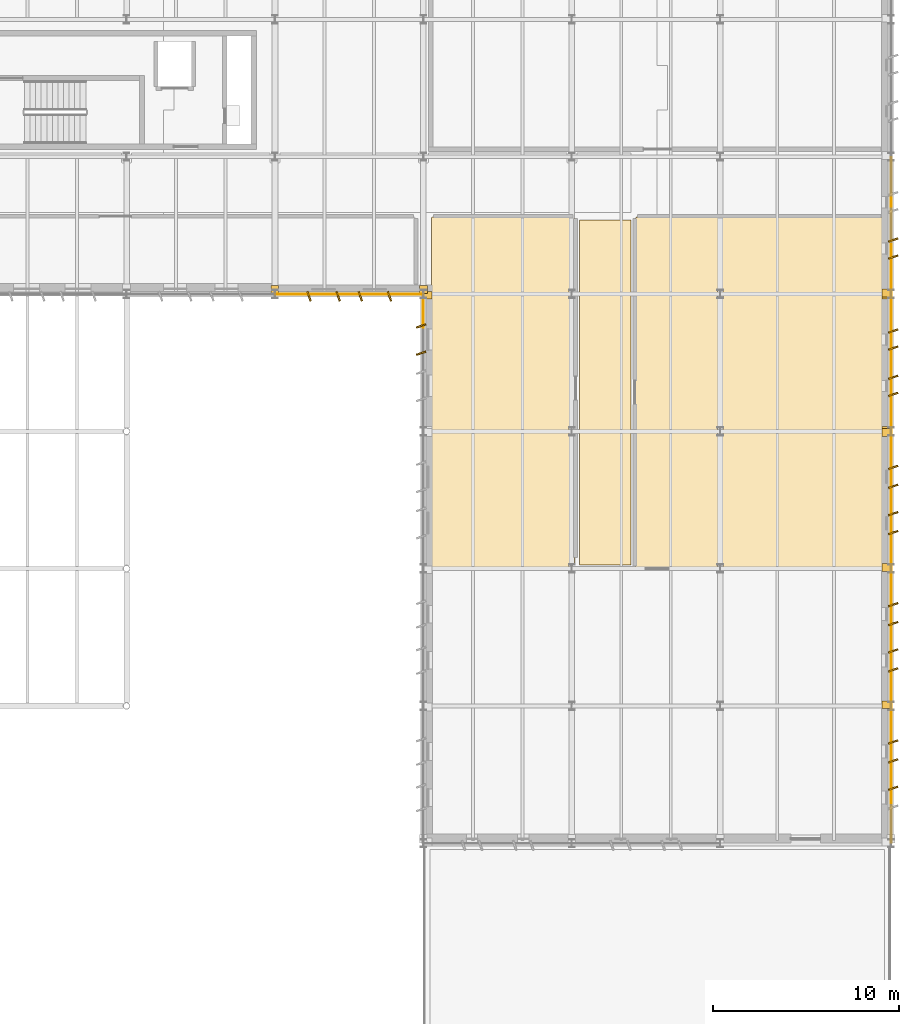
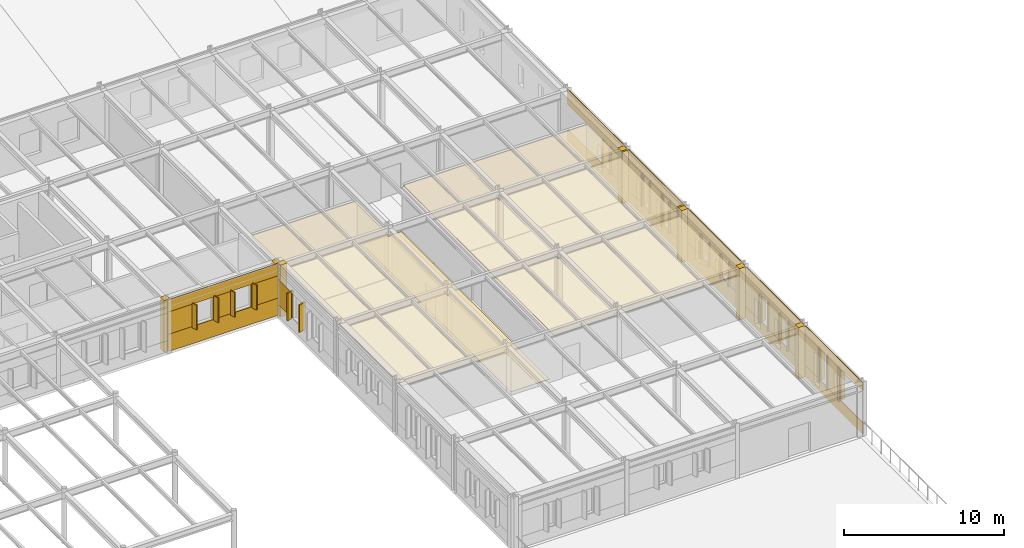
# One storey, part 62 of 63: 63 coverings.
"""IFC4 building model written with IfcOpenShell, lengths in metres."""

from ifc_helpers import new_model, si_unit, direction, frame, frame_2d, origin, origin_2d, place, context, subcontext, project, spatial, polyline, rectangle, outline, extrude, material, layer, layer_set, type_object, element, save


model = new_model("IFC4")

# Units and contexts
model_context = context("Model", 3, precision=1e-05, world=origin(), true_north=direction((0.0, 1.0)))
body_context = subcontext(model_context, "Body", "Model", "MODEL_VIEW")
ifc_project = project(units=[si_unit("LENGTHUNIT", "METRE"), si_unit("AREAUNIT", "SQUARE_METRE"), si_unit("VOLUMEUNIT", "CUBIC_METRE"), si_unit("PLANEANGLEUNIT", "RADIAN"), si_unit("MASSUNIT", "GRAM", prefix="KILO")], contexts=[model_context])

# Site, building, storey
site_placement = place(None, origin())
site = spatial("IfcSite", under=ifc_project, at=site_placement, CompositionType="ELEMENT")
building_placement = place(site_placement, origin())
building = spatial("IfcBuilding", under=site, at=building_placement, Name="Valkorina Park Police Headquarters", CompositionType="ELEMENT")
storey_placement = place(building_placement, frame((0.0, 0.0, 9.89990234375)))
storey = spatial("IfcBuildingStorey", under=building, at=storey_placement, Name="L03", CompositionType="ELEMENT", Elevation=9.89990234375)

# Coverings
ifc_material_1 = material(Name="Acoustic mineral board")
ifc_layer_1 = layer(ifc_material_1, 0.02490234375)
ifc_layer_set_1 = layer_set([ifc_layer_1], Name="Acoustic mineral board")
covering_type_1 = type_object("IfcCoveringType", Name="COV-CEILING-ACOUST", PredefinedType="CEILING", material=ifc_layer_set_1)
covering_1_placement = place(storey_placement, frame((0.0, 0.0, 3.34521484375)))
element("IfcCovering", 1, at=covering_1_placement, inside=storey, type_object=covering_type_1, Name="QAS DNA Gowning and Reagent Prep Suite Acoustic Suspended Ceiling", PredefinedType="CEILING", context=body_context, shape_type="SweptSolid", body=[
    extrude(outline(polyline([(144.95849609375, 59.449462890625), (144.959716796875, 59.457275390625), (144.9599609375, 59.465087890625), (144.9599609375, 63.280029296875), (144.959716796875, 63.287841796875), (144.95849609375, 63.295654296875), (144.95654296875, 63.30322265625), (144.953857421875, 63.310546875), (144.95068359375, 63.317626953125), (144.946533203125, 63.324462890625), (144.94189453125, 63.330810546875), (144.9365234375, 63.336669921875), (144.930908203125, 63.341796875), (144.92431640625, 63.346435546875), (144.917724609375, 63.3505859375), (144.91064453125, 63.35400390625), (144.9033203125, 63.356689453125), (144.8955078125, 63.3583984375), (144.8876953125, 63.359619140625), (144.8798828125, 63.360107421875), (137.320068359375, 63.360107421875), (137.312255859375, 63.359619140625), (137.304443359375, 63.3583984375), (137.296875, 63.356689453125), (137.289306640625, 63.35400390625), (137.2822265625, 63.3505859375), (137.275634765625, 63.346435546875), (137.269287109375, 63.341796875), (137.263427734375, 63.336669921875), (137.25830078125, 63.330810546875), (137.25341796875, 63.324462890625), (137.24951171875, 63.317626953125), (137.24609375, 63.310546875), (137.243408203125, 63.30322265625), (137.241455078125, 63.295654296875), (137.240478515625, 63.287841796875), (137.239990234375, 63.280029296875), (137.239990234375, 44.52001953125), (137.240478515625, 44.51220703125), (137.241455078125, 44.50439453125), (137.243408203125, 44.496826171875), (137.24609375, 44.489501953125), (137.24951171875, 44.482421875), (137.25341796875, 44.4755859375), (137.25830078125, 44.46923828125), (137.263427734375, 44.46337890625), (137.269287109375, 44.458251953125), (137.275634765625, 44.45361328125), (137.2822265625, 44.449462890625), (137.289306640625, 44.446044921875), (137.296875, 44.443359375), (137.304443359375, 44.44140625), (137.312255859375, 44.4404296875), (137.320068359375, 44.43994140625), (144.610107421875, 44.43994140625), (144.617919921875, 44.4404296875), (144.62548828125, 44.44140625), (144.63330078125, 44.443359375), (144.640625, 44.446044921875), (144.647705078125, 44.449462890625), (144.64990234375, 44.45068359375), (144.64990234375, 44.625), (144.94921875, 44.625), (144.95068359375, 44.627197265625), (144.953857421875, 44.634521484375), (144.95654296875, 44.641845703125), (144.95849609375, 44.6494140625), (144.959716796875, 44.6572265625), (144.9599609375, 44.6650390625), (144.9599609375, 51.534912109375), (144.959716796875, 51.542724609375), (144.95849609375, 51.550537109375), (144.95654296875, 51.55810546875), (144.953857421875, 51.565673828125), (144.95068359375, 51.57275390625), (144.94921875, 51.574951171875), (144.64990234375, 51.574951171875), (144.64990234375, 52.02490234375), (144.94921875, 52.02490234375), (144.95068359375, 52.02734375), (144.953857421875, 52.034423828125), (144.95654296875, 52.041748046875), (144.95849609375, 52.04931640625), (144.959716796875, 52.05712890625), (144.9599609375, 52.06494140625), (144.9599609375, 58.93505859375), (144.959716796875, 58.94287109375), (144.95849609375, 58.95068359375), (144.95654296875, 58.958251953125), (144.953857421875, 58.965576171875), (144.95068359375, 58.97265625), (144.94921875, 58.97509765625), (144.64990234375, 58.97509765625), (144.64990234375, 59.425048828125), (144.94921875, 59.425048828125), (144.95068359375, 59.42724609375), (144.953857421875, 59.434326171875), (144.95654296875, 59.44189453125), (144.95849609375, 59.449462890625)])), origin(), (0.0, 0.0, 1.0), 0.02490234375),
])
covering_2_placement = place(storey_placement, frame((0.0, 0.0, 3.34521484375)))
element("IfcCovering", 2, at=covering_2_placement, inside=storey, type_object=covering_type_1, Name="QAS Post-PCR Amplification Clean Lab Acoustic Suspended Ceiling", PredefinedType="CEILING", context=body_context, shape_type="SweptSolid", body=[
    extrude(outline(polyline([(161.55859375, 44.50439453125), (161.5595703125, 44.51220703125), (161.56005859375, 44.52001953125), (161.56005859375, 63.280029296875), (161.5595703125, 63.287841796875), (161.55859375, 63.295654296875), (161.556640625, 63.30322265625), (161.553955078125, 63.310546875), (161.550537109375, 63.317626953125), (161.54638671875, 63.324462890625), (161.541748046875, 63.330810546875), (161.53662109375, 63.336669921875), (161.53076171875, 63.341796875), (161.5244140625, 63.346435546875), (161.517578125, 63.3505859375), (161.510498046875, 63.35400390625), (161.503173828125, 63.356689453125), (161.49560546875, 63.3583984375), (161.48779296875, 63.359619140625), (161.47998046875, 63.360107421875), (148.320068359375, 63.360107421875), (148.312255859375, 63.359619140625), (148.304443359375, 63.3583984375), (148.296875, 63.356689453125), (148.289306640625, 63.35400390625), (148.2822265625, 63.3505859375), (148.275634765625, 63.346435546875), (148.269287109375, 63.341796875), (148.263427734375, 63.336669921875), (148.25830078125, 63.330810546875), (148.25341796875, 63.324462890625), (148.24951171875, 63.317626953125), (148.24609375, 63.310546875), (148.243408203125, 63.30322265625), (148.241455078125, 63.295654296875), (148.240478515625, 63.287841796875), (148.239990234375, 63.280029296875), (148.239990234375, 44.52001953125), (148.240478515625, 44.51220703125), (148.241455078125, 44.50439453125), (148.243408203125, 44.496826171875), (148.24609375, 44.489501953125), (148.24951171875, 44.482421875), (148.25341796875, 44.4755859375), (148.25830078125, 44.46923828125), (148.263427734375, 44.46337890625), (148.269287109375, 44.458251953125), (148.275634765625, 44.45361328125), (148.2822265625, 44.449462890625), (148.289306640625, 44.446044921875), (148.296875, 44.443359375), (148.304443359375, 44.44140625), (148.312255859375, 44.4404296875), (148.320068359375, 44.43994140625), (152.610107421875, 44.43994140625), (152.617919921875, 44.4404296875), (152.62548828125, 44.44140625), (152.63330078125, 44.443359375), (152.640625, 44.446044921875), (152.647705078125, 44.449462890625), (152.64990234375, 44.45068359375), (152.64990234375, 44.625), (152.949951171875, 44.625), (152.949951171875, 44.45068359375), (152.952392578125, 44.449462890625), (152.95947265625, 44.446044921875), (152.966796875, 44.443359375), (152.974365234375, 44.44140625), (152.982177734375, 44.4404296875), (152.989990234375, 44.43994140625), (161.47998046875, 44.43994140625), (161.48779296875, 44.4404296875), (161.49560546875, 44.44140625), (161.503173828125, 44.443359375), (161.510498046875, 44.446044921875), (161.517578125, 44.449462890625), (161.5244140625, 44.45361328125), (161.53076171875, 44.458251953125), (161.53662109375, 44.46337890625), (161.541748046875, 44.46923828125), (161.54638671875, 44.4755859375), (161.550537109375, 44.482421875), (161.553955078125, 44.489501953125), (161.556640625, 44.496826171875), (161.55859375, 44.50439453125)]), holes=[polyline([(152.949951171875, 52.02490234375), (152.949951171875, 51.574951171875), (152.64990234375, 51.574951171875), (152.64990234375, 52.02490234375), (152.949951171875, 52.02490234375)]), polyline([(152.949951171875, 59.425048828125), (152.949951171875, 58.97509765625), (152.64990234375, 58.97509765625), (152.64990234375, 59.425048828125), (152.949951171875, 59.425048828125)])]), origin(), (0.0, 0.0, 1.0), 0.02490234375),
])
ifc_material_2 = material(Name="Precast concrete C40/50", Category="concrete")
ifc_layer_2 = layer(ifc_material_2, 0.044921875)
ifc_layer_set_2 = layer_set([ifc_layer_2], Name="Precast concrete C40/50")
covering_type_2 = type_object("IfcCoveringType", Name="COV-CLAD-DOLOMITE", PredefinedType="CLADDING", material=ifc_layer_set_2)
covering_3_placement = place(storey_placement, frame((161.75, 59.264892578125, 0.0), z_axis=(0.0, 0.0, 1.0), x_axis=(0.0, 1.0, 0.0)))
element("IfcCovering", 3, at=covering_3_placement, inside=storey, type_object=covering_type_2, Name="L03 Exterior Joint Closure Pilaster B 1927", PredefinedType="CLADDING", context=body_context, shape_type="SweptSolid", body=[
    extrude(rectangle(XDim=0.419921875, YDim=0.449951171875, at=origin_2d()), origin(), (0.0, 0.0, 1.0), 3.955078125),
])
for number, where, z_axis, x_axis, name in (
    (4, (162.1201171875, 62.112548828125, 0.7802734375), (0.0, 0.0, 1.0), (0.948323655206, 0.317304656405, 0.0), "Slanted 18.5-deg Precast Window Slot Fin 1930"),
    (5, (162.1201171875, 61.192626953125, 0.7802734375), (0.0, 0.0, 1.0), (0.948323655206, 0.317304656405, 0.0), "Slanted 18.5-deg Precast Window Slot Fin 1931"),
):
    element("IfcCovering", number, at=place(storey_placement, frame(where, z_axis=z_axis, x_axis=x_axis)), inside=storey, type_object=covering_type_2, Name=name, PredefinedType="CLADDING", context=body_context, shape_type="SweptSolid", body=[
        extrude(rectangle(XDim=0.5400390625, YDim=0.090087890625, at=origin_2d()), origin(), (0.0, 0.0, 1.0), 2.090087890625),
    ])
covering_4_placement = place(storey_placement, frame((162.014892578125, 66.580078125, 0.0), z_axis=(0.0, 0.0, 1.0), x_axis=(0.0, -1.0, 0.0)))
element("IfcCovering", 6, at=covering_4_placement, inside=storey, type_object=covering_type_2, Name="L03 Calm Concrete Base Sill Spandrel 1932", PredefinedType="CLADDING", context=body_context, shape_type="SweptSolid", body=[
    extrude(rectangle(XDim=7.360107421875, YDim=0.044921875, at=frame_2d((3.68017578125, 0.0))), origin(), (0.0, 0.0, 1.0), 0.8701171875),
])
covering_5_placement = place(storey_placement, frame((162.014892578125, 66.580078125, 2.780029296875), z_axis=(0.0, 0.0, 1.0), x_axis=(0.0, -1.0, 0.0)))
element("IfcCovering", 7, at=covering_5_placement, inside=storey, type_object=covering_type_2, Name="L03 Calm Concrete Base Lintel Spandrel 1933", PredefinedType="CLADDING", context=body_context, shape_type="SweptSolid", body=[
    extrude(rectangle(XDim=7.360107421875, YDim=0.044921875, at=frame_2d((3.68017578125, 0.0))), origin(), (0.0, 0.0, 1.0), 1.175048828125),
])
covering_6_placement = place(storey_placement, frame((162.014892578125, 61.302490234375, 0.8701171875), z_axis=(0.0, 0.0, 1.0), x_axis=(0.0, -1.0, 0.0)))
element("IfcCovering", 8, at=covering_6_placement, inside=storey, type_object=covering_type_2, Name="L03 Calm Concrete Base Slot Pier 1936", PredefinedType="CLADDING", context=body_context, shape_type="SweptSolid", body=[
    extrude(rectangle(XDim=2.08251953125, YDim=0.044921875, at=frame_2d((1.041259765625, 0.0))), origin(), (0.0, 0.0, 1.0), 1.909912109375),
])
for number, where, z_axis, x_axis, name in (
    (9, (161.75, 59.135009765625, 0.0), (0.0, 0.0, 1.0), (0.0, 1.0, 0.0), "L03 Exterior Joint Closure Pilaster A 1937"),
    (10, (161.75, 51.864990234375, 0.0), (0.0, 0.0, 1.0), (0.0, 1.0, 0.0), "L03 Exterior Joint Closure Pilaster B 1938"),
):
    element("IfcCovering", number, at=place(storey_placement, frame(where, z_axis=z_axis, x_axis=x_axis)), inside=storey, type_object=covering_type_2, Name=name, PredefinedType="CLADDING", context=body_context, shape_type="SweptSolid", body=[
        extrude(rectangle(XDim=0.419921875, YDim=0.449951171875, at=origin_2d()), origin(), (0.0, 0.0, 1.0), 3.955078125),
    ])
for number, where, z_axis, x_axis, name in (
    (11, (162.1201171875, 57.20751953125, 0.780029296875), (0.0, 0.0, 1.0), (0.948323655206, 0.317304656405, 0.0), "Slanted 18.5-deg Precast Window Slot Fin 1939"),
    (12, (162.1201171875, 56.287353515625, 0.780029296875), (0.0, 0.0, 1.0), (0.948323655206, 0.317304656405, 0.0), "Slanted 18.5-deg Precast Window Slot Fin 1940"),
    (13, (162.1201171875, 54.712646484375, 0.780029296875), (0.0, 0.0, 1.0), (0.948323655206, 0.317304656405, 0.0), "Slanted 18.5-deg Precast Window Slot Fin 1941"),
    (14, (162.1201171875, 53.79248046875, 0.780029296875), (0.0, 0.0, 1.0), (0.948323655206, 0.317304656405, 0.0), "Slanted 18.5-deg Precast Window Slot Fin 1942"),
):
    element("IfcCovering", number, at=place(storey_placement, frame(where, z_axis=z_axis, x_axis=x_axis)), inside=storey, type_object=covering_type_2, Name=name, PredefinedType="CLADDING", context=body_context, shape_type="SweptSolid", body=[
        extrude(rectangle(XDim=0.5400390625, YDim=0.090087890625, at=origin_2d()), origin(), (0.0, 0.0, 1.0), 2.43994140625),
    ])
covering_7_placement = place(storey_placement, frame((162.014892578125, 59.179931640625, 0.0), z_axis=(0.0, 0.0, 1.0), x_axis=(0.0, -1.0, 0.0)))
element("IfcCovering", 15, at=covering_7_placement, inside=storey, type_object=covering_type_2, Name="L03 Calm Concrete Base Sill Spandrel 1943", PredefinedType="CLADDING", context=body_context, shape_type="SweptSolid", body=[
    extrude(rectangle(XDim=7.35986328125, YDim=0.044921875, at=frame_2d((3.679931640625, 0.0))), origin(), (0.0, 0.0, 1.0), 0.8701171875),
])
covering_8_placement = place(storey_placement, frame((162.014892578125, 59.179931640625, 3.130126953125), z_axis=(0.0, 0.0, 1.0), x_axis=(0.0, -1.0, 0.0)))
element("IfcCovering", 16, at=covering_8_placement, inside=storey, type_object=covering_type_2, Name="L03 Calm Concrete Base Lintel Spandrel 1944", PredefinedType="CLADDING", context=body_context, shape_type="SweptSolid", body=[
    extrude(rectangle(XDim=7.35986328125, YDim=0.044921875, at=frame_2d((3.679931640625, 0.0))), origin(), (0.0, 0.0, 1.0), 0.824951171875),
])
covering_9_placement = place(storey_placement, frame((162.014892578125, 59.179931640625, 0.8701171875), z_axis=(0.0, 0.0, 1.0), x_axis=(0.0, -1.0, 0.0)))
element("IfcCovering", 17, at=covering_9_placement, inside=storey, type_object=covering_type_2, Name="L03 Calm Concrete Base Slot Pier 1945", PredefinedType="CLADDING", context=body_context, shape_type="SweptSolid", body=[
    extrude(rectangle(XDim=2.08251953125, YDim=0.044921875, at=frame_2d((1.041259765625, 0.0))), origin(), (0.0, 0.0, 1.0), 2.260009765625),
])
covering_10_placement = place(storey_placement, frame((162.014892578125, 56.3974609375, 0.8701171875), z_axis=(0.0, 0.0, 1.0), x_axis=(0.0, -1.0, 0.0)))
element("IfcCovering", 18, at=covering_10_placement, inside=storey, type_object=covering_type_2, Name="L03 Calm Concrete Base Slot Pier 1946", PredefinedType="CLADDING", context=body_context, shape_type="SweptSolid", body=[
    extrude(rectangle(XDim=1.794921875, YDim=0.044921875, at=frame_2d((0.8974609375, 0.0))), origin(), (0.0, 0.0, 1.0), 2.260009765625),
])
covering_11_placement = place(storey_placement, frame((162.014892578125, 53.902587890625, 0.8701171875), z_axis=(0.0, 0.0, 1.0), x_axis=(0.0, -1.0, 0.0)))
element("IfcCovering", 19, at=covering_11_placement, inside=storey, type_object=covering_type_2, Name="L03 Calm Concrete Base Slot Pier 1947", PredefinedType="CLADDING", context=body_context, shape_type="SweptSolid", body=[
    extrude(rectangle(XDim=2.08251953125, YDim=0.044921875, at=frame_2d((1.041259765625, 0.0))), origin(), (0.0, 0.0, 1.0), 2.260009765625),
])
for number, where, z_axis, x_axis, name in (
    (20, (161.75, 51.735107421875, 0.0), (0.0, 0.0, 1.0), (0.0, 1.0, 0.0), "L03 Exterior Joint Closure Pilaster A 1948"),
    (21, (161.75, 44.465087890625, 0.0), (0.0, 0.0, 1.0), (0.0, 1.0, 0.0), "L03 Exterior Joint Closure Pilaster B 1949"),
):
    element("IfcCovering", number, at=place(storey_placement, frame(where, z_axis=z_axis, x_axis=x_axis)), inside=storey, type_object=covering_type_2, Name=name, PredefinedType="CLADDING", context=body_context, shape_type="SweptSolid", body=[
        extrude(rectangle(XDim=0.419921875, YDim=0.449951171875, at=origin_2d()), origin(), (0.0, 0.0, 1.0), 3.955078125),
    ])
for number, where, z_axis, x_axis, name in (
    (22, (162.1201171875, 49.857421875, 1.22998046875), (0.0, 0.0, 1.0), (0.948323655206, 0.317304656405, 0.0), "Slanted 18.5-deg Precast Window Slot Fin 1950"),
    (23, (162.1201171875, 48.83740234375, 1.22998046875), (0.0, 0.0, 1.0), (0.948323655206, 0.317304656405, 0.0), "Slanted 18.5-deg Precast Window Slot Fin 1951"),
    (24, (162.1201171875, 47.362548828125, 1.22998046875), (0.0, 0.0, 1.0), (0.948323655206, 0.317304656405, 0.0), "Slanted 18.5-deg Precast Window Slot Fin 1952"),
    (25, (162.1201171875, 46.342529296875, 1.22998046875), (0.0, 0.0, 1.0), (0.948323655206, 0.317304656405, 0.0), "Slanted 18.5-deg Precast Window Slot Fin 1953"),
):
    element("IfcCovering", number, at=place(storey_placement, frame(where, z_axis=z_axis, x_axis=x_axis)), inside=storey, type_object=covering_type_2, Name=name, PredefinedType="CLADDING", context=body_context, shape_type="SweptSolid", body=[
        extrude(rectangle(XDim=0.5400390625, YDim=0.090087890625, at=origin_2d()), origin(), (0.0, 0.0, 1.0), 1.840087890625),
    ])
covering_12_placement = place(storey_placement, frame((162.014892578125, 51.780029296875, 0.0), z_axis=(0.0, 0.0, 1.0), x_axis=(0.0, -1.0, 0.0)))
element("IfcCovering", 26, at=covering_12_placement, inside=storey, type_object=covering_type_2, Name="L03 Calm Concrete Base Sill Spandrel 1954", PredefinedType="CLADDING", context=body_context, shape_type="SweptSolid", body=[
    extrude(rectangle(XDim=7.360107421875, YDim=0.044921875, at=frame_2d((3.68017578125, 0.0))), origin(), (0.0, 0.0, 1.0), 1.320068359375),
])
covering_13_placement = place(storey_placement, frame((162.014892578125, 51.780029296875, 2.97998046875), z_axis=(0.0, 0.0, 1.0), x_axis=(0.0, -1.0, 0.0)))
element("IfcCovering", 27, at=covering_13_placement, inside=storey, type_object=covering_type_2, Name="L03 Calm Concrete Base Lintel Spandrel 1955", PredefinedType="CLADDING", context=body_context, shape_type="SweptSolid", body=[
    extrude(rectangle(XDim=7.360107421875, YDim=0.044921875, at=frame_2d((3.68017578125, 0.0))), origin(), (0.0, 0.0, 1.0), 0.97509765625),
])
covering_14_placement = place(storey_placement, frame((162.014892578125, 51.780029296875, 1.320068359375), z_axis=(0.0, 0.0, 1.0), x_axis=(0.0, -1.0, 0.0)))
element("IfcCovering", 28, at=covering_14_placement, inside=storey, type_object=covering_type_2, Name="L03 Calm Concrete Base Slot Pier 1956", PredefinedType="CLADDING", context=body_context, shape_type="SweptSolid", body=[
    extrude(rectangle(XDim=2.03271484375, YDim=0.044921875, at=frame_2d((1.016357421875, 0.0))), origin(), (0.0, 0.0, 1.0), 1.659912109375),
])
covering_15_placement = place(storey_placement, frame((162.014892578125, 48.947509765625, 1.320068359375), z_axis=(0.0, 0.0, 1.0), x_axis=(0.0, -1.0, 0.0)))
element("IfcCovering", 29, at=covering_15_placement, inside=storey, type_object=covering_type_2, Name="L03 Calm Concrete Base Slot Pier 1957", PredefinedType="CLADDING", context=body_context, shape_type="SweptSolid", body=[
    extrude(rectangle(XDim=1.69482421875, YDim=0.044921875, at=frame_2d((0.847412109375, 0.0))), origin(), (0.0, 0.0, 1.0), 1.659912109375),
])
covering_16_placement = place(storey_placement, frame((162.014892578125, 46.45263671875, 1.320068359375), z_axis=(0.0, 0.0, 1.0), x_axis=(0.0, -1.0, 0.0)))
element("IfcCovering", 30, at=covering_16_placement, inside=storey, type_object=covering_type_2, Name="L03 Calm Concrete Base Slot Pier 1958", PredefinedType="CLADDING", context=body_context, shape_type="SweptSolid", body=[
    extrude(rectangle(XDim=2.03271484375, YDim=0.044921875, at=frame_2d((1.016357421875, 0.0))), origin(), (0.0, 0.0, 1.0), 1.659912109375),
])
covering_17_placement = place(storey_placement, frame((161.75, 37.06494140625, 0.000244140625), z_axis=(0.0, 0.0, 1.0), x_axis=(0.0, 1.0, 0.0)))
element("IfcCovering", 31, at=covering_17_placement, inside=storey, type_object=covering_type_2, Name="L03 Exterior Joint Closure Pilaster B 1959", PredefinedType="CLADDING", context=body_context, shape_type="SweptSolid", body=[
    extrude(rectangle(XDim=0.419921875, YDim=0.449951171875, at=origin_2d()), origin(), (0.0, 0.0, 1.0), 3.919921875),
])
for number, where, z_axis, x_axis, name in (
    (32, (162.1201171875, 42.45751953125, 0.7802734375), (0.0, 0.0, 1.0), (0.948323655206, 0.317304656405, 0.0), "Slanted 18.5-deg Precast Window Slot Fin 1960"),
    (33, (162.1201171875, 41.4375, 0.7802734375), (0.0, 0.0, 1.0), (0.948323655206, 0.317304656405, 0.0), "Slanted 18.5-deg Precast Window Slot Fin 1961"),
    (34, (162.1201171875, 39.962646484375, 0.7802734375), (0.0, 0.0, 1.0), (0.948323655206, 0.317304656405, 0.0), "Slanted 18.5-deg Precast Window Slot Fin 1962"),
    (35, (162.1201171875, 38.942626953125, 0.7802734375), (0.0, 0.0, 1.0), (0.948323655206, 0.317304656405, 0.0), "Slanted 18.5-deg Precast Window Slot Fin 1963"),
):
    element("IfcCovering", number, at=place(storey_placement, frame(where, z_axis=z_axis, x_axis=x_axis)), inside=storey, type_object=covering_type_2, Name=name, PredefinedType="CLADDING", context=body_context, shape_type="SweptSolid", body=[
        extrude(rectangle(XDim=0.5400390625, YDim=0.090087890625, at=origin_2d()), origin(), (0.0, 0.0, 1.0), 2.239990234375),
    ])
covering_18_placement = place(storey_placement, frame((162.014892578125, 44.3798828125, 0.0), z_axis=(0.0, 0.0, 1.0), x_axis=(0.0, -1.0, 0.0)))
element("IfcCovering", 36, at=covering_18_placement, inside=storey, type_object=covering_type_2, Name="L03 Calm Concrete Base Sill Spandrel 1964", PredefinedType="CLADDING", context=body_context, shape_type="SweptSolid", body=[
    extrude(rectangle(XDim=7.35986328125, YDim=0.044921875, at=frame_2d((3.679931640625, 0.0))), origin(), (0.0, 0.0, 1.0), 0.8701171875),
])
covering_19_placement = place(storey_placement, frame((162.014892578125, 44.3798828125, 2.93017578125), z_axis=(0.0, 0.0, 1.0), x_axis=(0.0, -1.0, 0.0)))
element("IfcCovering", 37, at=covering_19_placement, inside=storey, type_object=covering_type_2, Name="L03 Calm Concrete Base Lintel Spandrel 1965", PredefinedType="CLADDING", context=body_context, shape_type="SweptSolid", body=[
    extrude(rectangle(XDim=7.35986328125, YDim=0.044921875, at=frame_2d((3.679931640625, 0.0))), origin(), (0.0, 0.0, 1.0), 0.989990234375),
])
covering_20_placement = place(storey_placement, frame((162.014892578125, 44.3798828125, 0.8701171875), z_axis=(0.0, 0.0, 1.0), x_axis=(0.0, -1.0, 0.0)))
element("IfcCovering", 38, at=covering_20_placement, inside=storey, type_object=covering_type_2, Name="L03 Calm Concrete Base Slot Pier 1966", PredefinedType="CLADDING", context=body_context, shape_type="SweptSolid", body=[
    extrude(rectangle(XDim=2.032470703125, YDim=0.044921875, at=frame_2d((1.01611328125, 0.0))), origin(), (0.0, 0.0, 1.0), 2.06005859375),
])
covering_21_placement = place(storey_placement, frame((162.014892578125, 41.54736328125, 0.8701171875), z_axis=(0.0, 0.0, 1.0), x_axis=(0.0, -1.0, 0.0)))
element("IfcCovering", 39, at=covering_21_placement, inside=storey, type_object=covering_type_2, Name="L03 Calm Concrete Base Slot Pier 1967", PredefinedType="CLADDING", context=body_context, shape_type="SweptSolid", body=[
    extrude(rectangle(XDim=1.69482421875, YDim=0.044921875, at=frame_2d((0.847412109375, 0.0))), origin(), (0.0, 0.0, 1.0), 2.06005859375),
])
covering_22_placement = place(storey_placement, frame((162.014892578125, 39.052490234375, 0.8701171875), z_axis=(0.0, 0.0, 1.0), x_axis=(0.0, -1.0, 0.0)))
element("IfcCovering", 40, at=covering_22_placement, inside=storey, type_object=covering_type_2, Name="L03 Calm Concrete Base Slot Pier 1968", PredefinedType="CLADDING", context=body_context, shape_type="SweptSolid", body=[
    extrude(rectangle(XDim=2.032470703125, YDim=0.044921875, at=frame_2d((1.01611328125, 0.0))), origin(), (0.0, 0.0, 1.0), 2.06005859375),
])
for number, where, z_axis, x_axis, name in (
    (41, (162.1201171875, 35.057373046875, 0.7802734375), (0.0, 0.0, 1.0), (0.948323655206, 0.317304656405, 0.0), "Slanted 18.5-deg Precast Window Slot Fin 1970"),
    (42, (162.1201171875, 34.037353515625, 0.7802734375), (0.0, 0.0, 1.0), (0.948323655206, 0.317304656405, 0.0), "Slanted 18.5-deg Precast Window Slot Fin 1971"),
    (43, (162.1201171875, 32.5625, 0.7802734375), (0.0, 0.0, 1.0), (0.948323655206, 0.317304656405, 0.0), "Slanted 18.5-deg Precast Window Slot Fin 1972"),
):
    element("IfcCovering", number, at=place(storey_placement, frame(where, z_axis=z_axis, x_axis=x_axis)), inside=storey, type_object=covering_type_2, Name=name, PredefinedType="CLADDING", context=body_context, shape_type="SweptSolid", body=[
        extrude(rectangle(XDim=0.5400390625, YDim=0.090087890625, at=origin_2d()), origin(), (0.0, 0.0, 1.0), 2.639892578125),
    ])
covering_23_placement = place(storey_placement, frame((162.014892578125, 36.97998046875, 0.0), z_axis=(0.0, 0.0, 1.0), x_axis=(0.0, -1.0, 0.0)))
element("IfcCovering", 44, at=covering_23_placement, inside=storey, type_object=covering_type_2, Name="L03 Calm Concrete Base Sill Spandrel 1974", PredefinedType="CLADDING", context=body_context, shape_type="SweptSolid", body=[
    extrude(rectangle(XDim=7.35986328125, YDim=0.044921875, at=frame_2d((3.679931640625, 0.0))), origin(), (0.0, 0.0, 1.0), 0.8701171875),
])
covering_24_placement = place(storey_placement, frame((162.014892578125, 36.97998046875, 3.330078125), z_axis=(0.0, 0.0, 1.0), x_axis=(0.0, -1.0, 0.0)))
element("IfcCovering", 45, at=covering_24_placement, inside=storey, type_object=covering_type_2, Name="L03 Calm Concrete Base Lintel Spandrel 1975", PredefinedType="CLADDING", context=body_context, shape_type="SweptSolid", body=[
    extrude(rectangle(XDim=7.35986328125, YDim=0.044921875, at=frame_2d((3.679931640625, 0.0))), origin(), (0.0, 0.0, 1.0), 0.590087890625),
])
covering_25_placement = place(storey_placement, frame((162.014892578125, 36.97998046875, 0.8701171875), z_axis=(0.0, 0.0, 1.0), x_axis=(0.0, -1.0, 0.0)))
element("IfcCovering", 46, at=covering_25_placement, inside=storey, type_object=covering_type_2, Name="L03 Calm Concrete Base Slot Pier 1976", PredefinedType="CLADDING", context=body_context, shape_type="SweptSolid", body=[
    extrude(rectangle(XDim=2.032470703125, YDim=0.044921875, at=frame_2d((1.01611328125, 0.0))), origin(), (0.0, 0.0, 1.0), 2.4599609375),
])
covering_26_placement = place(storey_placement, frame((162.014892578125, 34.1474609375, 0.8701171875), z_axis=(0.0, 0.0, 1.0), x_axis=(0.0, -1.0, 0.0)))
element("IfcCovering", 47, at=covering_26_placement, inside=storey, type_object=covering_type_2, Name="L03 Calm Concrete Base Slot Pier 1977", PredefinedType="CLADDING", context=body_context, shape_type="SweptSolid", body=[
    extrude(rectangle(XDim=1.69482421875, YDim=0.044921875, at=frame_2d((0.847412109375, 0.0))), origin(), (0.0, 0.0, 1.0), 2.4599609375),
])
covering_27_placement = place(storey_placement, frame((137.050048828125, 59.135009765625, 0.0), z_axis=(0.0, 0.0, 1.0), x_axis=(0.0, 1.0, 0.0)))
element("IfcCovering", 48, at=covering_27_placement, inside=storey, type_object=covering_type_2, Name="L03 Exterior Joint Closure Pilaster B 2033", PredefinedType="CLADDING", context=body_context, shape_type="SweptSolid", body=[
    extrude(rectangle(XDim=0.419921875, YDim=0.449951171875, at=origin_2d()), origin(), (0.0, 0.0, 1.0), 3.955078125),
])
for number, where, z_axis, x_axis, name in (
    (49, (136.679931640625, 56.012451171875, 0.7802734375), (0.0, 0.0, 1.0), (-0.948323655206, -0.317304656405, 0.0), "Slanted 18.5-deg Precast Window Slot Fin 2036"),
    (50, (136.679931640625, 57.482421875, 0.7802734375), (0.0, 0.0, 1.0), (-0.948323655206, -0.317304656405, 0.0), "Slanted 18.5-deg Precast Window Slot Fin 2037"),
):
    element("IfcCovering", number, at=place(storey_placement, frame(where, z_axis=z_axis, x_axis=x_axis)), inside=storey, type_object=covering_type_2, Name=name, PredefinedType="CLADDING", context=body_context, shape_type="SweptSolid", body=[
        extrude(rectangle(XDim=0.5400390625, YDim=0.090087890625, at=origin_2d()), origin(), (0.0, 0.0, 1.0), 2.090087890625),
    ])
covering_28_placement = place(storey_placement, frame((136.784912109375, 57.372314453125, 0.8701171875), z_axis=(0.0, 0.0, 1.0), x_axis=(0.0, 1.0, 0.0)))
element("IfcCovering", 51, at=covering_28_placement, inside=storey, type_object=covering_type_2, Name="L03 Calm Concrete Base Slot Pier 2042", PredefinedType="CLADDING", context=body_context, shape_type="SweptSolid", body=[
    extrude(rectangle(XDim=1.8076171875, YDim=0.044921875, at=frame_2d((0.90380859375, 0.0))), origin(), (0.0, 0.0, 1.0), 1.909912109375),
])
for number, where, z_axis, x_axis, name in (
    (52, (136.81005859375, 59.449951171875, 0.0), (0.0, 0.0, 1.0), (1.0, 0.0, 0.0), "L03 Exterior Joint Closure Pilaster A 2043"),
    (53, (128.7900390625, 59.449951171875, 0.0), (0.0, 0.0, 1.0), (1.0, 0.0, 0.0), "L03 Exterior Joint Closure Pilaster B 2044"),
):
    element("IfcCovering", number, at=place(storey_placement, frame(where, z_axis=z_axis, x_axis=x_axis)), inside=storey, type_object=covering_type_2, Name=name, PredefinedType="CLADDING", context=body_context, shape_type="SweptSolid", body=[
        extrude(rectangle(XDim=0.419921875, YDim=0.449951171875, at=origin_2d()), origin(), (0.0, 0.0, 1.0), 3.955078125),
    ])
for number, where, z_axis, x_axis, name in (
    (54, (134.96728515625, 59.080078125, 1.22998046875), (0.0, 0.0, 1.0), (0.317304656405, -0.948323655206, 0.0), "Slanted 18.5-deg Precast Window Slot Fin 2045"),
    (55, (133.3974609375, 59.080078125, 1.22998046875), (0.0, 0.0, 1.0), (0.317304656405, -0.948323655206, 0.0), "Slanted 18.5-deg Precast Window Slot Fin 2046"),
    (56, (132.20263671875, 59.080078125, 1.22998046875), (0.0, 0.0, 1.0), (0.317304656405, -0.948323655206, 0.0), "Slanted 18.5-deg Precast Window Slot Fin 2047"),
    (57, (130.632568359375, 59.080078125, 1.22998046875), (0.0, 0.0, 1.0), (0.317304656405, -0.948323655206, 0.0), "Slanted 18.5-deg Precast Window Slot Fin 2048"),
):
    element("IfcCovering", number, at=place(storey_placement, frame(where, z_axis=z_axis, x_axis=x_axis)), inside=storey, type_object=covering_type_2, Name=name, PredefinedType="CLADDING", context=body_context, shape_type="SweptSolid", body=[
        extrude(rectangle(XDim=0.5400390625, YDim=0.090087890625, at=origin_2d()), origin(), (0.0, 0.0, 1.0), 1.889892578125),
    ])
covering_29_placement = place(storey_placement, frame((136.780029296875, 59.18505859375, 0.0), z_axis=(0.0, 0.0, 1.0), x_axis=(-1.0, 0.0, 0.0)))
element("IfcCovering", 58, at=covering_29_placement, inside=storey, type_object=covering_type_2, Name="L03 Calm Concrete Base Sill Spandrel 2049", PredefinedType="CLADDING", context=body_context, shape_type="SweptSolid", body=[
    extrude(rectangle(XDim=7.9599609375, YDim=0.044921875, at=frame_2d((3.97998046875, 0.0))), origin(), (0.0, 0.0, 1.0), 1.320068359375),
])
covering_30_placement = place(storey_placement, frame((136.780029296875, 59.18505859375, 3.030029296875), z_axis=(0.0, 0.0, 1.0), x_axis=(-1.0, 0.0, 0.0)))
element("IfcCovering", 59, at=covering_30_placement, inside=storey, type_object=covering_type_2, Name="L03 Calm Concrete Base Lintel Spandrel 2050", PredefinedType="CLADDING", context=body_context, shape_type="SweptSolid", body=[
    extrude(rectangle(XDim=7.9599609375, YDim=0.044921875, at=frame_2d((3.97998046875, 0.0))), origin(), (0.0, 0.0, 1.0), 0.925048828125),
])
covering_31_placement = place(storey_placement, frame((136.780029296875, 59.18505859375, 1.320068359375), z_axis=(0.0, 0.0, 1.0), x_axis=(-1.0, 0.0, 0.0)))
element("IfcCovering", 60, at=covering_31_placement, inside=storey, type_object=covering_type_2, Name="L03 Calm Concrete Base Slot Pier 2051", PredefinedType="CLADDING", context=body_context, shape_type="SweptSolid", body=[
    extrude(rectangle(XDim=1.922607421875, YDim=0.044921875, at=frame_2d((0.96142578125, 0.0))), origin(), (0.0, 0.0, 1.0), 1.7099609375),
])
covering_32_placement = place(storey_placement, frame((133.50732421875, 59.18505859375, 1.320068359375), z_axis=(0.0, 0.0, 1.0), x_axis=(-1.0, 0.0, 0.0)))
element("IfcCovering", 61, at=covering_32_placement, inside=storey, type_object=covering_type_2, Name="L03 Calm Concrete Base Slot Pier 2052", PredefinedType="CLADDING", context=body_context, shape_type="SweptSolid", body=[
    extrude(rectangle(XDim=1.414794921875, YDim=0.044921875, at=frame_2d((0.70751953125, 0.0))), origin(), (0.0, 0.0, 1.0), 1.7099609375),
])
covering_33_placement = place(storey_placement, frame((130.74267578125, 59.18505859375, 1.320068359375), z_axis=(0.0, 0.0, 1.0), x_axis=(-1.0, 0.0, 0.0)))
element("IfcCovering", 62, at=covering_33_placement, inside=storey, type_object=covering_type_2, Name="L03 Calm Concrete Base Slot Pier 2053", PredefinedType="CLADDING", context=body_context, shape_type="SweptSolid", body=[
    extrude(rectangle(XDim=1.922607421875, YDim=0.044921875, at=frame_2d((0.96142578125, 0.0))), origin(), (0.0, 0.0, 1.0), 1.7099609375),
])
ifc_material_3 = material(Name="Resin terrazzo flooring")
ifc_layer_3 = layer(ifc_material_3, 0.030029296875)
ifc_layer_set_3 = layer_set([ifc_layer_3], Name="Resin terrazzo flooring")
covering_type_3 = type_object("IfcCoveringType", Name="COV-FLOOR-TERRAZZO", PredefinedType="FLOORING", material=ifc_layer_set_3)
covering_34_placement = place(storey_placement, origin())
element("IfcCovering", 63, at=covering_34_placement, inside=storey, type_object=covering_type_3, Name="DNA Cleanroom Pressure-Cascade Corridor Terrazzo Flooring", PredefinedType="FLOORING", context=body_context, shape_type="SweptSolid", body=[
    extrude(outline(polyline([(148.0, 63.199951171875), (145.199951171875, 63.199951171875), (145.199951171875, 44.60009765625), (148.0, 44.60009765625), (148.0, 63.199951171875)])), origin(), (0.0, 0.0, 1.0), 0.030029296875),
])

save(model, "model.ifc")
